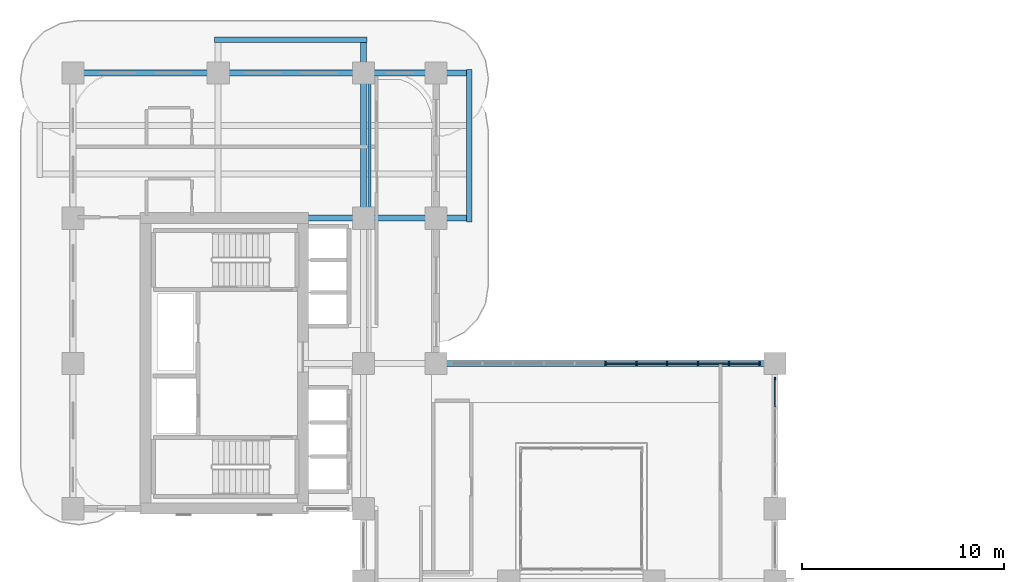
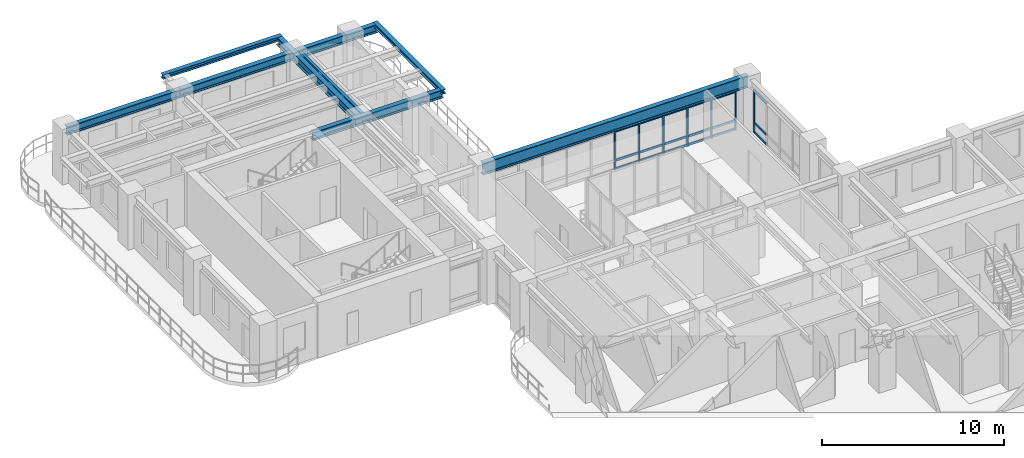
# One storey, part 7 of 22: 25 members, 8 beams, 2 elements without a shape of their own.
"""IFC4 building model written with IfcOpenShell, lengths in metres."""

from ifc_helpers import new_model, si_unit, derived_unit, direction, frame, origin, origin_2d, place, context, subcontext, project, spatial, rectangle, i_section, extrude, source, transform, mapped, material, layer, layer_set, material_profile, profile_set, type_object, type_shapes, element, aggregate, save


model = new_model("IFC4")

# Units and contexts
model_context = context("Model", 3, precision=1e-05, world=origin(), true_north=direction((0.0, 1.0)))
body_context = subcontext(model_context, "Body", "Model", "MODEL_VIEW")
ifc_project = project(units=[si_unit("LENGTHUNIT", "METRE"), si_unit("AREAUNIT", "SQUARE_METRE"), si_unit("VOLUMEUNIT", "CUBIC_METRE"), si_unit("PLANEANGLEUNIT", "RADIAN"), si_unit("MASSUNIT", "GRAM", prefix="KILO"), si_unit("THERMODYNAMICTEMPERATUREUNIT", "KELVIN"), si_unit("POWERUNIT", "WATT"), derived_unit("THERMALTRANSMITTANCEUNIT", [(si_unit("POWERUNIT", "WATT"), 1), (si_unit("AREAUNIT", "SQUARE_METRE"), -1), (si_unit("THERMODYNAMICTEMPERATUREUNIT", "KELVIN"), -1)])], contexts=[model_context])

# Site, building, storey
site_placement = place(None, origin())
site = spatial("IfcSite", under=ifc_project, at=site_placement, CompositionType="ELEMENT")
building_placement = place(site_placement, origin())
building = spatial("IfcBuilding", under=site, at=building_placement, Name="Zahravan Archway Hotel and Residences", CompositionType="ELEMENT")
storey_placement = place(building_placement, frame((0.0, 0.0, 84.199951171875)))
storey = spatial("IfcBuildingStorey", under=building, at=storey_placement, Name="L20", CompositionType="ELEMENT", Elevation=84.199951171875)

# Beams
ifc_material_1 = material(Name="Structural Steel S355JR", Category="steel")
ifc_material_profile_1 = material_profile(ifc_material_1, i_section(OverallWidth=0.280029296875, OverallDepth=0.280029296875, WebThickness=0.010498046875, FlangeThickness=0.01806640625, FilletRadius=0.02392578125, at=origin_2d()), Name="HEB 280", Category="steel")
ifc_profile_set_1 = profile_set([ifc_material_profile_1], Name="Structural Steel S355JR")
beam_type_1 = type_object("IfcBeamType", Name="BM-SPN-HEB280", PredefinedType="SPANDREL", material=ifc_profile_set_1)
shared_shape_1 = source(origin(), body_context, "Body", "SweptSolid", [
    extrude(i_section(OverallWidth=0.280029296875, OverallDepth=0.280029296875, WebThickness=0.010498046875, FlangeThickness=0.01806640625, FilletRadius=0.02392578125, at=origin_2d()), origin(), (0.0, 0.0, 1.0), 7.56005859375),
])
type_shapes(beam_type_1, [shared_shape_1])
for number, where, z_axis, x_axis, name in (
    (1, (19.64990234375, 39.419921875, 3.31005859375), (0.0, 1.0, 0.0), (-1.0, 0.0, 0.0), "L21 EB Balcony Edge Spandrel"),
    (2, (7.02001953125, 48.449951171875, 3.31005859375), (1.0, 0.0, 0.0), (0.0, 1.0, 0.0), "L21 NB Balcony Edge Spandrel"),
):
    element("IfcBeam", number, at=place(storey_placement, frame(where, z_axis=z_axis, x_axis=x_axis)), inside=storey, type_object=beam_type_1, Name=name, PredefinedType="SPANDREL", context=body_context, shape_type="MappedRepresentation", body=[
        mapped(shared_shape_1, transform((0.0, 0.0, 0.0), scale=1.0)),
    ])
ifc_material_profile_2 = material_profile(ifc_material_1, i_section(OverallWidth=0.300048828125, OverallDepth=0.550048828125, WebThickness=0.014892578125, FlangeThickness=0.029052734375, FilletRadius=0.027099609375, at=origin_2d()), Name="HEB 550", Category="steel")
ifc_profile_set_2 = profile_set([ifc_material_profile_2], Name="Structural Steel S355JR")
beam_type_2 = type_object("IfcBeamType", Name="BM-PRI-HEB550", PredefinedType="BEAM", material=ifc_profile_set_2)
shared_shape_2 = source(origin(), body_context, "Body", "SweptSolid", [
    extrude(i_section(OverallWidth=0.300048828125, OverallDepth=0.550048828125, WebThickness=0.014892578125, FlangeThickness=0.029052734375, FilletRadius=0.027099609375, at=origin_2d()), origin(), (0.0, 0.0, 1.0), 7.199951171875),
])
beam_1_placement = place(storey_placement, frame((0.0, 46.800048828125, 3.175048828125), z_axis=(1.0, 0.0, 0.0), x_axis=(0.0, 1.0, 0.0)))
element("IfcBeam", 3, at=beam_1_placement, inside=storey, type_object=beam_type_2, Name="L20 Primary Girder EW-24", PredefinedType="BEAM", context=body_context, shape_type="MappedRepresentation", body=[
    mapped(shared_shape_2, transform((0.0, 0.0, 0.0), scale=1.0)),
])
shared_shape_3 = source(origin(), body_context, "Body", "SweptSolid", [
    extrude(i_section(OverallWidth=0.300048828125, OverallDepth=0.550048828125, WebThickness=0.014892578125, FlangeThickness=0.029052734375, FilletRadius=0.027099609375, at=origin_2d()), origin(), (0.0, 0.0, 1.0), 8.25),
])
beam_2_placement = place(storey_placement, frame((11.39990234375, 39.60009765625, 3.175048828125), z_axis=(1.0, 0.0, 0.0), x_axis=(0.0, 1.0, 0.0)))
element("IfcBeam", 4, at=beam_2_placement, inside=storey, type_object=beam_type_2, Name="L20 Primary Girder EW-23", PredefinedType="BEAM", context=body_context, shape_type="MappedRepresentation", body=[
    mapped(shared_shape_3, transform((0.0, 0.0, 0.0), scale=1.0)),
])
shared_shape_4 = source(origin(), body_context, "Body", "SweptSolid", [
    extrude(i_section(OverallWidth=0.300048828125, OverallDepth=0.550048828125, WebThickness=0.014892578125, FlangeThickness=0.029052734375, FilletRadius=0.027099609375, at=origin_2d()), origin(), (0.0, 0.0, 1.0), 12.449951171875),
])
beam_3_placement = place(storey_placement, frame((7.199951171875, 46.800048828125, 3.175048828125), z_axis=(1.0, 0.0, 0.0), x_axis=(0.0, 1.0, 0.0)))
element("IfcBeam", 5, at=beam_3_placement, inside=storey, type_object=beam_type_2, Name="L20 Primary Girder EW-25", PredefinedType="BEAM", context=body_context, shape_type="MappedRepresentation", body=[
    mapped(shared_shape_4, transform((0.0, 0.0, 0.0), scale=1.0)),
])
shared_shape_5 = source(origin(), body_context, "Body", "SweptSolid", [
    extrude(i_section(OverallWidth=0.300048828125, OverallDepth=0.550048828125, WebThickness=0.014892578125, FlangeThickness=0.029052734375, FilletRadius=0.027099609375, at=origin_2d()), origin(), (0.0, 0.0, 1.0), 8.849853515625),
])
beam_4_placement = place(storey_placement, frame((14.39990234375, 39.60009765625, 3.175048828125), z_axis=(0.0, 1.0, 0.0), x_axis=(-1.0, 0.0, 0.0)))
element("IfcBeam", 6, at=beam_4_placement, inside=storey, type_object=beam_type_2, Name="L20 Primary Girder NS-38", PredefinedType="BEAM", context=body_context, shape_type="MappedRepresentation", body=[
    mapped(shared_shape_5, transform((0.0, 0.0, 0.0), scale=1.0)),
])
ifc_material_2 = material(Name="Structural Steel S355J2", Category="steel")
ifc_material_profile_3 = material_profile(ifc_material_2, i_section(OverallWidth=0.300048828125, OverallDepth=0.800048828125, WebThickness=0.017578125, FlangeThickness=0.032958984375, FilletRadius=0.030029296875, at=origin_2d()), Name="HEB 800", Category="steel")
ifc_profile_set_3 = profile_set([ifc_material_profile_3], Name="Structural Steel S355J2")
beam_type_3 = type_object("IfcBeamType", Name="BM-PRI-HEB800", PredefinedType="BEAM", material=ifc_profile_set_3)
shared_shape_6 = source(origin(), body_context, "Body", "SweptSolid", [
    extrude(i_section(OverallWidth=0.300048828125, OverallDepth=0.800048828125, WebThickness=0.017578125, FlangeThickness=0.032958984375, FilletRadius=0.030029296875, at=origin_2d()), origin(), (0.0, 0.0, 1.0), 16.800048828125),
])
type_shapes(beam_type_3, [shared_shape_6])
beam_5_placement = place(storey_placement, frame((18.0, 32.39990234375, 3.050048828125), z_axis=(1.0, 0.0, 0.0), x_axis=(0.0, 1.0, 0.0)))
element("IfcBeam", 7, at=beam_5_placement, inside=storey, type_object=beam_type_3, Name="L20 Primary Girder EW-22", PredefinedType="BEAM", context=body_context, shape_type="MappedRepresentation", body=[
    mapped(shared_shape_6, transform((0.0, 0.0, 0.0), scale=1.0)),
])
ifc_material_profile_4 = material_profile(ifc_material_1, i_section(OverallWidth=0.169921875, OverallDepth=0.360107421875, WebThickness=0.008056640625, FlangeThickness=0.0126953125, FilletRadius=0.01806640625, at=origin_2d()), Name="IPE 360", Category="steel")
ifc_profile_set_4 = profile_set([ifc_material_profile_4], Name="Structural Steel S355JR")
beam_type_4 = type_object("IfcBeamType", Name="BM-JST-IPE360", PredefinedType="JOIST", material=ifc_profile_set_4)
shared_shape_7 = source(origin(), body_context, "Body", "SweptSolid", [
    extrude(i_section(OverallWidth=0.169921875, OverallDepth=0.360107421875, WebThickness=0.008056640625, FlangeThickness=0.0126953125, FilletRadius=0.01806640625, at=origin_2d()), origin(), (0.0, 0.0, 1.0), 6.904052734375),
])
type_shapes(beam_type_4, [shared_shape_7])
beam_6_placement = place(storey_placement, frame((14.699951171875, 39.748046875, 3.27001953125), z_axis=(0.0, 1.0, 0.0), x_axis=(-1.0, 0.0, 0.0)))
element("IfcBeam", 8, at=beam_6_placement, inside=storey, type_object=beam_type_4, Name="L20 Composite Floor Joist 14", PredefinedType="JOIST", context=body_context, shape_type="MappedRepresentation", body=[
    mapped(shared_shape_7, transform((0.0, 0.0, 0.0), scale=1.0)),
])

# Curtain wall, members
ifc_material_3 = material(Name="Bronze-Anodized Unitised Aluminium & Low-E Glass", Category="aluminium")
ifc_layer = layer(ifc_material_3, 0.179931640625, Name="Bronze-Anodized Unitised Aluminium & Low-E Glass", Category="aluminium")
ifc_layer_set = layer_set([ifc_layer], Name="Bronze-Anodized Unitised Aluminium & Low-E Glass")
curtain_wall_type = type_object("IfcCurtainWallType", Name="CW-TWR-FEAT", PredefinedType="NOTDEFINED", material=ifc_layer_set)
curtain_wall_1_placement = place(storey_placement, origin())
curtain_wall_1 = element("IfcCurtainWall", 9, at=curtain_wall_1_placement, inside=storey, type_object=curtain_wall_type, Name="L20 Curtain Wall CW-L20-HNG-E-2", PredefinedType="NOTDEFINED")
ifc_material_4 = material(Name="Bronze-Anodized Extruded Aluminium", Category="aluminium")
ifc_material_profile_5 = material_profile(ifc_material_4, rectangle(XDim=0.080078125, YDim=0.139892578125, at=origin_2d()), Name="TRN 80x140", Category="aluminium")
ifc_profile_set_5 = profile_set([ifc_material_profile_5], Name="Bronze-Anodized Extruded Aluminium")
member_type_1 = type_object("IfcMemberType", Name="CWM-TRN-140", PredefinedType="USERDEFINED", material=ifc_profile_set_5)
shared_shape_8 = source(origin(), body_context, "Body", "SweptSolid", [
    extrude(rectangle(XDim=0.080078125, YDim=0.139892578125, at=origin_2d()), origin(), (0.0, 0.0, 1.0), 1.340087890625),
])
member_1_placement = place(storey_placement, frame((34.800048828125, 30.260009765625, 0.070068359375), z_axis=(0.0, 1.0, 0.0), x_axis=(-1.0, 0.0, 0.0)))
member_1 = element("IfcMember", 10, at=member_1_placement, type_object=member_type_1, Name="CW-L20-HNG-E-2 Transom 3-1", ObjectType="TRANSOM", PredefinedType="USERDEFINED", context=body_context, shape_type="MappedRepresentation", body=[
    mapped(shared_shape_8, transform((0.0, 0.0, 0.0), scale=1.0)),
])
member_2_placement = place(storey_placement, frame((34.800048828125, 30.260009765625, 0.6923828125), z_axis=(0.0, 1.0, 0.0), x_axis=(-1.0, 0.0, 0.0)))
member_2 = element("IfcMember", 11, at=member_2_placement, type_object=member_type_1, Name="CW-L20-HNG-E-2 Transom 3-2", ObjectType="TRANSOM", PredefinedType="USERDEFINED", context=body_context, shape_type="MappedRepresentation", body=[
    mapped(shared_shape_8, transform((0.0, 0.0, 0.0), scale=1.0)),
])
member_3_placement = place(storey_placement, frame((34.800048828125, 30.260009765625, 2.81494140625), z_axis=(0.0, 1.0, 0.0), x_axis=(-1.0, 0.0, 0.0)))
member_3 = element("IfcMember", 12, at=member_3_placement, type_object=member_type_1, Name="CW-L20-HNG-E-2 Transom 3-3", ObjectType="TRANSOM", PredefinedType="USERDEFINED", context=body_context, shape_type="MappedRepresentation", body=[
    mapped(shared_shape_8, transform((0.0, 0.0, 0.0), scale=1.0)),
])
ifc_material_profile_6 = material_profile(ifc_material_4, rectangle(XDim=0.080078125, YDim=0.159912109375, at=origin_2d()), Name="MUL 80x160", Category="aluminium")
ifc_profile_set_6 = profile_set([ifc_material_profile_6], Name="Bronze-Anodized Extruded Aluminium")
member_type_2 = type_object("IfcMemberType", Name="CWM-MUL-160", PredefinedType="MULLION", material=ifc_profile_set_6)
shared_shape_9 = source(origin(), body_context, "Body", "SweptSolid", [
    extrude(rectangle(XDim=0.080078125, YDim=0.159912109375, at=origin_2d()), origin(), (0.0, 0.0, 1.0), 2.885009765625),
])
member_4_placement = place(storey_placement, frame((34.800048828125, 31.639892578125, 0.0), z_axis=(0.0, 0.0, 1.0), x_axis=(1.0, 0.0, 0.0)))
member_4 = element("IfcMember", 13, at=member_4_placement, type_object=member_type_2, Name="CW-L20-HNG-E-2 Mullion 4", PredefinedType="MULLION", context=body_context, shape_type="MappedRepresentation", body=[
    mapped(shared_shape_9, transform((0.0, 0.0, 0.0), scale=1.0)),
])
aggregate(curtain_wall_1, [member_4, member_1, member_2, member_3])

curtain_wall_2_placement = place(storey_placement, origin())
curtain_wall_2 = element("IfcCurtainWall", 14, at=curtain_wall_2_placement, inside=storey, type_object=curtain_wall_type, Name="L20 Curtain Wall CW-L20-HNG-N-1", PredefinedType="NOTDEFINED")
shared_shape_10 = source(origin(), body_context, "Body", "SweptSolid", [
    extrude(rectangle(XDim=0.080078125, YDim=0.159912109375, at=origin_2d()), origin(), (0.0, 0.0, 1.0), 2.635009765625),
])
member_5_placement = place(storey_placement, frame((26.39990234375, 32.39990234375, 0.0), z_axis=(0.0, 0.0, 1.0), x_axis=(1.0, 0.0, 0.0)))
member_5 = element("IfcMember", 15, at=member_5_placement, type_object=member_type_2, Name="CW-L20-HNG-N-1 Mullion 5", PredefinedType="MULLION", context=body_context, shape_type="MappedRepresentation", body=[
    mapped(shared_shape_10, transform((0.0, 0.0, 0.0), scale=1.0)),
])
member_6_placement = place(storey_placement, frame((27.927978515625, 32.39990234375, 0.0), z_axis=(0.0, 0.0, 1.0), x_axis=(1.0, 0.0, 0.0)))
member_6 = element("IfcMember", 16, at=member_6_placement, type_object=member_type_2, Name="CW-L20-HNG-N-1 Mullion 6", PredefinedType="MULLION", context=body_context, shape_type="MappedRepresentation", body=[
    mapped(shared_shape_10, transform((0.0, 0.0, 0.0), scale=1.0)),
])
member_7_placement = place(storey_placement, frame((29.4560546875, 32.39990234375, 0.0), z_axis=(0.0, 0.0, 1.0), x_axis=(1.0, 0.0, 0.0)))
member_7 = element("IfcMember", 17, at=member_7_placement, type_object=member_type_2, Name="CW-L20-HNG-N-1 Mullion 7", PredefinedType="MULLION", context=body_context, shape_type="MappedRepresentation", body=[
    mapped(shared_shape_10, transform((0.0, 0.0, 0.0), scale=1.0)),
])
member_8_placement = place(storey_placement, frame((30.98388671875, 32.39990234375, 0.0), z_axis=(0.0, 0.0, 1.0), x_axis=(1.0, 0.0, 0.0)))
member_8 = element("IfcMember", 18, at=member_8_placement, type_object=member_type_2, Name="CW-L20-HNG-N-1 Mullion 8", PredefinedType="MULLION", context=body_context, shape_type="MappedRepresentation", body=[
    mapped(shared_shape_10, transform((0.0, 0.0, 0.0), scale=1.0)),
])
member_9_placement = place(storey_placement, frame((32.511962890625, 32.39990234375, 0.0), z_axis=(0.0, 0.0, 1.0), x_axis=(1.0, 0.0, 0.0)))
member_9 = element("IfcMember", 19, at=member_9_placement, type_object=member_type_2, Name="CW-L20-HNG-N-1 Mullion 9", PredefinedType="MULLION", context=body_context, shape_type="MappedRepresentation", body=[
    mapped(shared_shape_10, transform((0.0, 0.0, 0.0), scale=1.0)),
])
member_10_placement = place(storey_placement, frame((34.0400390625, 32.39990234375, 0.0), z_axis=(0.0, 0.0, 1.0), x_axis=(1.0, 0.0, 0.0)))
member_10 = element("IfcMember", 20, at=member_10_placement, type_object=member_type_2, Name="CW-L20-HNG-N-1 Mullion 10", PredefinedType="MULLION", context=body_context, shape_type="MappedRepresentation", body=[
    mapped(shared_shape_10, transform((0.0, 0.0, 0.0), scale=1.0)),
])
shared_shape_11 = source(origin(), body_context, "Body", "SweptSolid", [
    extrude(rectangle(XDim=0.080078125, YDim=0.139892578125, at=origin_2d()), origin(), (0.0, 0.0, 1.0), 1.447998046875),
])
member_11_placement = place(storey_placement, frame((26.43994140625, 32.39990234375, 0.070068359375), z_axis=(1.0, 0.0, 0.0), x_axis=(0.0, 1.0, 0.0)))
member_11 = element("IfcMember", 21, at=member_11_placement, type_object=member_type_1, Name="CW-L20-HNG-N-1 Transom 5-1", ObjectType="TRANSOM", PredefinedType="USERDEFINED", context=body_context, shape_type="MappedRepresentation", body=[
    mapped(shared_shape_11, transform((0.0, 0.0, 0.0), scale=1.0)),
])
member_12_placement = place(storey_placement, frame((26.43994140625, 32.39990234375, 0.632568359375), z_axis=(1.0, 0.0, 0.0), x_axis=(0.0, 1.0, 0.0)))
member_12 = element("IfcMember", 22, at=member_12_placement, type_object=member_type_1, Name="CW-L20-HNG-N-1 Transom 5-2", ObjectType="TRANSOM", PredefinedType="USERDEFINED", context=body_context, shape_type="MappedRepresentation", body=[
    mapped(shared_shape_11, transform((0.0, 0.0, 0.0), scale=1.0)),
])
member_13_placement = place(storey_placement, frame((26.43994140625, 32.39990234375, 2.56494140625), z_axis=(1.0, 0.0, 0.0), x_axis=(0.0, 1.0, 0.0)))
member_13 = element("IfcMember", 23, at=member_13_placement, type_object=member_type_1, Name="CW-L20-HNG-N-1 Transom 5-3", ObjectType="TRANSOM", PredefinedType="USERDEFINED", context=body_context, shape_type="MappedRepresentation", body=[
    mapped(shared_shape_11, transform((0.0, 0.0, 0.0), scale=1.0)),
])
member_14_placement = place(storey_placement, frame((27.968017578125, 32.39990234375, 0.070068359375), z_axis=(1.0, 0.0, 0.0), x_axis=(0.0, 1.0, 0.0)))
member_14 = element("IfcMember", 24, at=member_14_placement, type_object=member_type_1, Name="CW-L20-HNG-N-1 Transom 6-1", ObjectType="TRANSOM", PredefinedType="USERDEFINED", context=body_context, shape_type="MappedRepresentation", body=[
    mapped(shared_shape_11, transform((0.0, 0.0, 0.0), scale=1.0)),
])
member_15_placement = place(storey_placement, frame((27.968017578125, 32.39990234375, 0.632568359375), z_axis=(1.0, 0.0, 0.0), x_axis=(0.0, 1.0, 0.0)))
member_15 = element("IfcMember", 25, at=member_15_placement, type_object=member_type_1, Name="CW-L20-HNG-N-1 Transom 6-2", ObjectType="TRANSOM", PredefinedType="USERDEFINED", context=body_context, shape_type="MappedRepresentation", body=[
    mapped(shared_shape_11, transform((0.0, 0.0, 0.0), scale=1.0)),
])
member_16_placement = place(storey_placement, frame((27.968017578125, 32.39990234375, 2.56494140625), z_axis=(1.0, 0.0, 0.0), x_axis=(0.0, 1.0, 0.0)))
member_16 = element("IfcMember", 26, at=member_16_placement, type_object=member_type_1, Name="CW-L20-HNG-N-1 Transom 6-3", ObjectType="TRANSOM", PredefinedType="USERDEFINED", context=body_context, shape_type="MappedRepresentation", body=[
    mapped(shared_shape_11, transform((0.0, 0.0, 0.0), scale=1.0)),
])
member_17_placement = place(storey_placement, frame((29.49609375, 32.39990234375, 0.070068359375), z_axis=(1.0, 0.0, 0.0), x_axis=(0.0, 1.0, 0.0)))
member_17 = element("IfcMember", 27, at=member_17_placement, type_object=member_type_1, Name="CW-L20-HNG-N-1 Transom 7-1", ObjectType="TRANSOM", PredefinedType="USERDEFINED", context=body_context, shape_type="MappedRepresentation", body=[
    mapped(shared_shape_11, transform((0.0, 0.0, 0.0), scale=1.0)),
])
member_18_placement = place(storey_placement, frame((29.49609375, 32.39990234375, 0.632568359375), z_axis=(1.0, 0.0, 0.0), x_axis=(0.0, 1.0, 0.0)))
member_18 = element("IfcMember", 28, at=member_18_placement, type_object=member_type_1, Name="CW-L20-HNG-N-1 Transom 7-2", ObjectType="TRANSOM", PredefinedType="USERDEFINED", context=body_context, shape_type="MappedRepresentation", body=[
    mapped(shared_shape_11, transform((0.0, 0.0, 0.0), scale=1.0)),
])
member_19_placement = place(storey_placement, frame((29.49609375, 32.39990234375, 2.56494140625), z_axis=(1.0, 0.0, 0.0), x_axis=(0.0, 1.0, 0.0)))
member_19 = element("IfcMember", 29, at=member_19_placement, type_object=member_type_1, Name="CW-L20-HNG-N-1 Transom 7-3", ObjectType="TRANSOM", PredefinedType="USERDEFINED", context=body_context, shape_type="MappedRepresentation", body=[
    mapped(shared_shape_11, transform((0.0, 0.0, 0.0), scale=1.0)),
])
member_20_placement = place(storey_placement, frame((31.02392578125, 32.39990234375, 0.070068359375), z_axis=(1.0, 0.0, 0.0), x_axis=(0.0, 1.0, 0.0)))
member_20 = element("IfcMember", 30, at=member_20_placement, type_object=member_type_1, Name="CW-L20-HNG-N-1 Transom 8-1", ObjectType="TRANSOM", PredefinedType="USERDEFINED", context=body_context, shape_type="MappedRepresentation", body=[
    mapped(shared_shape_11, transform((0.0, 0.0, 0.0), scale=1.0)),
])
member_21_placement = place(storey_placement, frame((31.02392578125, 32.39990234375, 0.632568359375), z_axis=(1.0, 0.0, 0.0), x_axis=(0.0, 1.0, 0.0)))
member_21 = element("IfcMember", 31, at=member_21_placement, type_object=member_type_1, Name="CW-L20-HNG-N-1 Transom 8-2", ObjectType="TRANSOM", PredefinedType="USERDEFINED", context=body_context, shape_type="MappedRepresentation", body=[
    mapped(shared_shape_11, transform((0.0, 0.0, 0.0), scale=1.0)),
])
member_22_placement = place(storey_placement, frame((31.02392578125, 32.39990234375, 2.56494140625), z_axis=(1.0, 0.0, 0.0), x_axis=(0.0, 1.0, 0.0)))
member_22 = element("IfcMember", 32, at=member_22_placement, type_object=member_type_1, Name="CW-L20-HNG-N-1 Transom 8-3", ObjectType="TRANSOM", PredefinedType="USERDEFINED", context=body_context, shape_type="MappedRepresentation", body=[
    mapped(shared_shape_11, transform((0.0, 0.0, 0.0), scale=1.0)),
])
member_23_placement = place(storey_placement, frame((32.552001953125, 32.39990234375, 0.070068359375), z_axis=(1.0, 0.0, 0.0), x_axis=(0.0, 1.0, 0.0)))
member_23 = element("IfcMember", 33, at=member_23_placement, type_object=member_type_1, Name="CW-L20-HNG-N-1 Transom 9-1", ObjectType="TRANSOM", PredefinedType="USERDEFINED", context=body_context, shape_type="MappedRepresentation", body=[
    mapped(shared_shape_11, transform((0.0, 0.0, 0.0), scale=1.0)),
])
member_24_placement = place(storey_placement, frame((32.552001953125, 32.39990234375, 0.632568359375), z_axis=(1.0, 0.0, 0.0), x_axis=(0.0, 1.0, 0.0)))
member_24 = element("IfcMember", 34, at=member_24_placement, type_object=member_type_1, Name="CW-L20-HNG-N-1 Transom 9-2", ObjectType="TRANSOM", PredefinedType="USERDEFINED", context=body_context, shape_type="MappedRepresentation", body=[
    mapped(shared_shape_11, transform((0.0, 0.0, 0.0), scale=1.0)),
])
member_25_placement = place(storey_placement, frame((32.552001953125, 32.39990234375, 2.56494140625), z_axis=(1.0, 0.0, 0.0), x_axis=(0.0, 1.0, 0.0)))
member_25 = element("IfcMember", 35, at=member_25_placement, type_object=member_type_1, Name="CW-L20-HNG-N-1 Transom 9-3", ObjectType="TRANSOM", PredefinedType="USERDEFINED", context=body_context, shape_type="MappedRepresentation", body=[
    mapped(shared_shape_11, transform((0.0, 0.0, 0.0), scale=1.0)),
])
aggregate(curtain_wall_2, [member_5, member_6, member_7, member_8, member_9, member_10, member_11, member_12, member_13, member_14, member_15, member_16, member_17, member_18, member_19, member_20, member_21, member_22, member_23, member_24, member_25])

save(model, "model.ifc")
